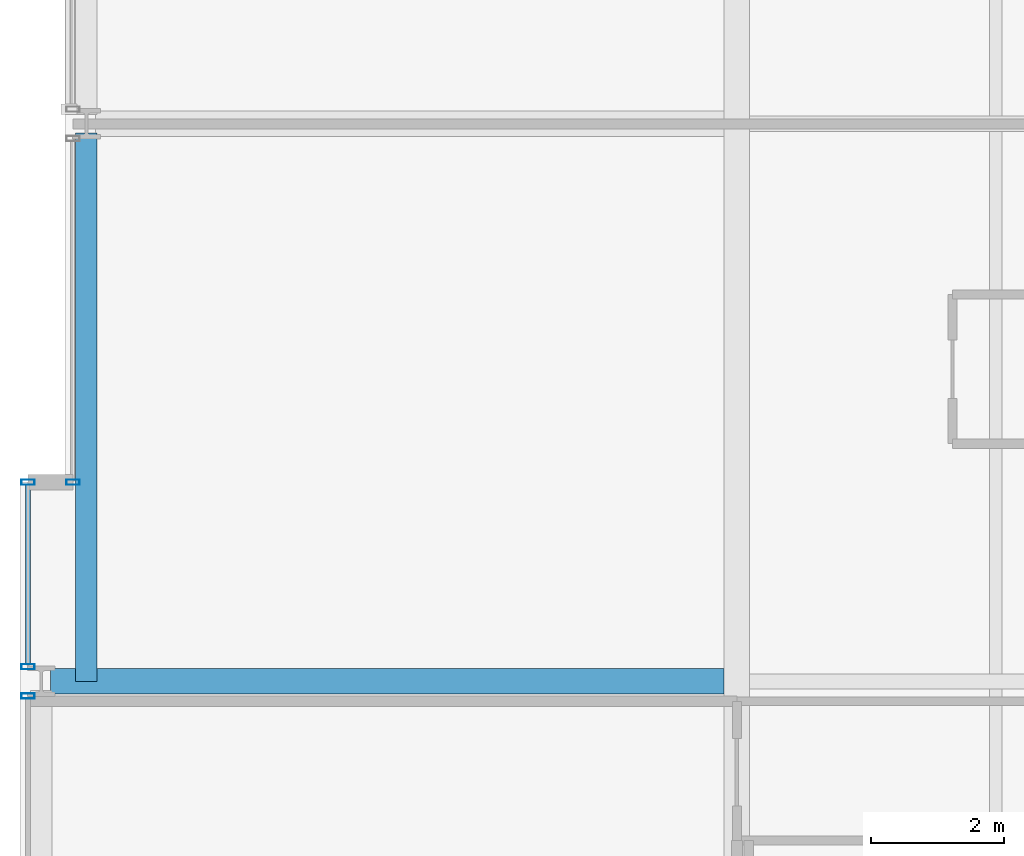
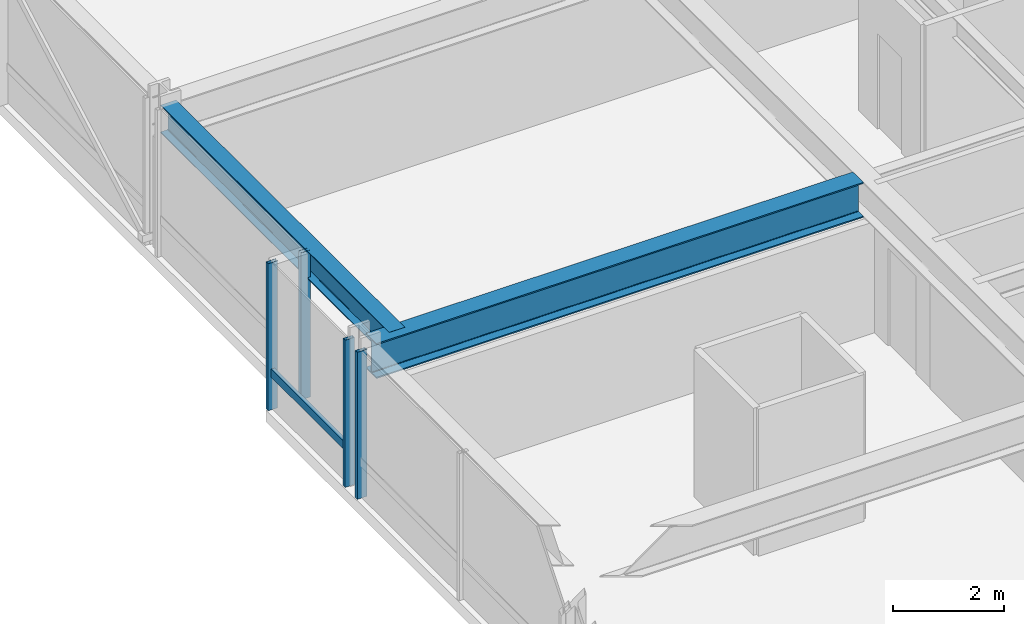
# One storey, part 7 of 34: 5 members, 2 beams, 3 elements without a shape of their own.
"""IFC4 building model written with IfcOpenShell, lengths in metres."""

from ifc_helpers import new_model, si_unit, direction, frame, origin, origin_2d, place, context, subcontext, project, spatial, hollow_rectangle, i_section, extrude, material, layer, layer_set, material_profile, profile_set, type_object, element, aggregate, save


model = new_model("IFC4")

# Units and contexts
model_context = context("Model", 3, precision=1e-05, world=origin(), true_north=direction((0.0, 1.0)))
body_context = subcontext(model_context, "Body", "Model", "MODEL_VIEW")
ifc_project = project(units=[si_unit("LENGTHUNIT", "METRE"), si_unit("AREAUNIT", "SQUARE_METRE"), si_unit("VOLUMEUNIT", "CUBIC_METRE"), si_unit("PLANEANGLEUNIT", "RADIAN"), si_unit("MASSUNIT", "GRAM", prefix="KILO")], contexts=[model_context])

# Site, building, storey
site_placement = place(None, origin())
site = spatial("IfcSite", under=ifc_project, at=site_placement, CompositionType="ELEMENT")
building_placement = place(site_placement, origin())
building = spatial("IfcBuilding", under=site, at=building_placement, Name="Drelvath Grand Hotel", CompositionType="ELEMENT")
storey_placement = place(building_placement, frame((0.0, 0.0, 116.300048828125)))
storey = spatial("IfcBuildingStorey", under=building, at=storey_placement, Name="L29", CompositionType="ELEMENT", Elevation=116.300048828125)

# Curtain wall, member
ifc_material_1 = material(Name="Champagne Bronze Anodised Aluminium Frame", Category="aluminium")
ifc_layer = layer(ifc_material_1, 0.199951171875)
ifc_layer_set = layer_set([ifc_layer], Name="Champagne Bronze Anodised Aluminium Frame")
curtain_wall_type = type_object("IfcCurtainWallType", Name="Stick Curtain Wall CW-03 Champagne Bronze Mid-Rise", PredefinedType="NOTDEFINED", material=ifc_layer_set)
curtain_wall_1_placement = place(storey_placement, origin())
curtain_wall_1 = element("IfcCurtainWall", 1, at=curtain_wall_1_placement, inside=storey, type_object=curtain_wall_type, Name="L29 CW-03 Curtain Wall CW03-L29-WS3", PredefinedType="NOTDEFINED")
ifc_material_profile_1 = material_profile(ifc_material_1, hollow_rectangle(XDim=0.074951171875, YDim=0.179931640625, WallThickness=0.0048828125, at=origin_2d()), Name="HSS180X75X5")
ifc_profile_set_1 = profile_set([ifc_material_profile_1], Name="Champagne Bronze Anodised Aluminium Frame")
member_type_1 = type_object("IfcMemberType", Name="Curtain Wall Horizontal Transom CW-03 HSS180X75X5", PredefinedType="USERDEFINED", material=ifc_profile_set_1)
member_1_placement = place(storey_placement, frame((-26.8798828125, 18.859619140625, 0.81005859375), z_axis=(0.0, 1.0, 0.0), x_axis=(-1.0, 0.0, 0.0)))
member_1 = element("IfcMember", 2, at=member_1_placement, type_object=member_type_1, Name="CW03-L29-WS3 Sill Transom", ObjectType="TRANSOM", PredefinedType="USERDEFINED", context=body_context, shape_type="SweptSolid", body=[
    extrude(hollow_rectangle(XDim=0.074951171875, YDim=0.179931640625, WallThickness=0.0048828125, at=origin_2d()), origin(), (0.0, 0.0, 1.0), 2.700439453125),
])

curtain_wall_2_placement = place(storey_placement, origin())
curtain_wall_2 = element("IfcCurtainWall", 3, at=curtain_wall_2_placement, inside=storey, type_object=curtain_wall_type, Name="L29 CW-03 Curtain Wall CW03-L29-WS2", PredefinedType="NOTDEFINED")
ifc_material_profile_2 = material_profile(ifc_material_1, hollow_rectangle(XDim=0.080078125, YDim=0.199951171875, WallThickness=0.0048828125, at=origin_2d()), Name="HSS200X80X5")
ifc_profile_set_2 = profile_set([ifc_material_profile_2], Name="Champagne Bronze Anodised Aluminium Frame")
member_type_2 = type_object("IfcMemberType", Name="Curtain Wall Vertical Mullion CW-03 HSS200X80X5", PredefinedType="MULLION", material=ifc_profile_set_2)
member_2_placement = place(storey_placement, frame((-26.8798828125, 18.38037109375, 0.0), z_axis=(0.0, 0.0, 1.0), x_axis=(0.0, 1.0, 0.0)))
member_2 = element("IfcMember", 4, at=member_2_placement, type_object=member_type_2, Name="CW03-L29-WS2 Mullion 3", PredefinedType="MULLION", context=body_context, shape_type="SweptSolid", body=[
    extrude(hollow_rectangle(XDim=0.080078125, YDim=0.199951171875, WallThickness=0.0048828125, at=origin_2d()), origin(), (0.0, 0.0, 1.0), 3.239990234375),
])
aggregate(curtain_wall_2, [member_2])

# Member
member_3_placement = place(storey_placement, frame((-26.8798828125, 18.819580078125, 0.0), z_axis=(0.0, 0.0, 1.0), x_axis=(0.0, 1.0, 0.0)))
member_3 = element("IfcMember", 5, at=member_3_placement, type_object=member_type_2, Name="CW03-L29-WS3 Mullion 1", PredefinedType="MULLION", context=body_context, shape_type="SweptSolid", body=[
    extrude(hollow_rectangle(XDim=0.080078125, YDim=0.199951171875, WallThickness=0.0048828125, at=origin_2d()), origin(), (0.0, 0.0, 1.0), 3.239990234375),
])

member_4_placement = place(storey_placement, frame((-26.8798828125, 21.60009765625, 0.0), z_axis=(0.0, 0.0, 1.0), x_axis=(0.0, 1.0, 0.0)))
member_4 = element("IfcMember", 6, at=member_4_placement, type_object=member_type_2, Name="CW03-L29-WS3 Mullion 2", PredefinedType="MULLION", context=body_context, shape_type="SweptSolid", body=[
    extrude(hollow_rectangle(XDim=0.080078125, YDim=0.199951171875, WallThickness=0.0048828125, at=origin_2d()), origin(), (0.0, 0.0, 1.0), 3.239990234375),
])

aggregate(curtain_wall_1, [member_3, member_4, member_1])

# Curtain wall, member
curtain_wall_3_placement = place(storey_placement, origin())
curtain_wall_3 = element("IfcCurtainWall", 7, at=curtain_wall_3_placement, inside=storey, type_object=curtain_wall_type, Name="L29 CW-03 Curtain Wall CW03-L29-WM1", PredefinedType="NOTDEFINED")
member_5_placement = place(storey_placement, frame((-26.199951171875, 21.60009765625, 0.0), z_axis=(0.0, 0.0, 1.0), x_axis=(0.0, 1.0, 0.0)))
member_5 = element("IfcMember", 8, at=member_5_placement, type_object=member_type_2, Name="CW03-L29-WM1 Mullion 1", PredefinedType="MULLION", context=body_context, shape_type="SweptSolid", body=[
    extrude(hollow_rectangle(XDim=0.080078125, YDim=0.199951171875, WallThickness=0.0048828125, at=origin_2d()), origin(), (0.0, 0.0, 1.0), 3.239990234375),
])
aggregate(curtain_wall_3, [member_5])

# Beams
ifc_material_2 = material(Name="Steel ASTM A992 Gr 50", Category="steel")
ifc_material_profile_3 = material_profile(ifc_material_2, i_section(OverallWidth=0.323974609375, OverallDepth=0.611083984375, WebThickness=0.0126953125, FlangeThickness=0.01904296875, FilletRadius=0.02197265625, at=origin_2d()), Name="W24X104")
ifc_profile_set_3 = profile_set([ifc_material_profile_3], Name="Steel ASTM A992 Gr 50")
beam_type_1 = type_object("IfcBeamType", Name="Perimeter Spandrel Beam W24X104", PredefinedType="SPANDREL", material=ifc_profile_set_3)
beam_1_placement = place(storey_placement, frame((-26.0, 18.60009765625, 2.9345703125), z_axis=(0.0, 1.0, 0.0), x_axis=(-1.0, 0.0, 0.0)))
element("IfcBeam", 9, at=beam_1_placement, inside=storey, type_object=beam_type_1, Name="L29 Spandrel West Mid S", PredefinedType="SPANDREL", context=body_context, shape_type="SweptSolid", body=[
    extrude(i_section(OverallWidth=0.323974609375, OverallDepth=0.611083984375, WebThickness=0.0126953125, FlangeThickness=0.01904296875, FilletRadius=0.02197265625, at=origin_2d()), origin(), (0.0, 0.0, 1.0), 8.260009765625),
])
ifc_material_profile_4 = material_profile(ifc_material_2, i_section(OverallWidth=0.380615234375, OverallDepth=0.773193359375, WebThickness=0.0166015625, FlangeThickness=0.027099609375, FilletRadius=0.02490234375, at=origin_2d()), Name="W30X173")
ifc_profile_set_4 = profile_set([ifc_material_profile_4], Name="Steel ASTM A992 Gr 50")
beam_type_2 = type_object("IfcBeamType", Name="Primary Floor Girder W30X173", PredefinedType="BEAM", material=ifc_profile_set_4)
beam_2_placement = place(storey_placement, frame((-26.5400390625, 18.60009765625, 2.853271484375), z_axis=(1.0, 0.0, 0.0), x_axis=(0.0, 1.0, 0.0)))
element("IfcBeam", 10, at=beam_2_placement, inside=storey, type_object=beam_type_2, Name="L29 West Wing Girder D", PredefinedType="BEAM", context=body_context, shape_type="SweptSolid", body=[
    extrude(i_section(OverallWidth=0.380615234375, OverallDepth=0.773193359375, WebThickness=0.0166015625, FlangeThickness=0.027099609375, FilletRadius=0.02490234375, at=origin_2d()), origin(), (0.0, 0.0, 1.0), 10.149658203125),
])

save(model, "model.ifc")
